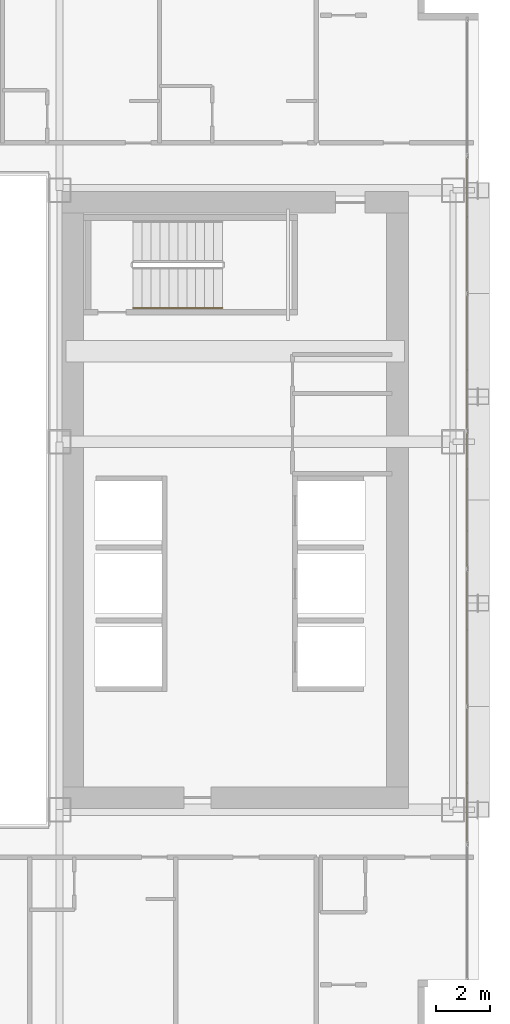
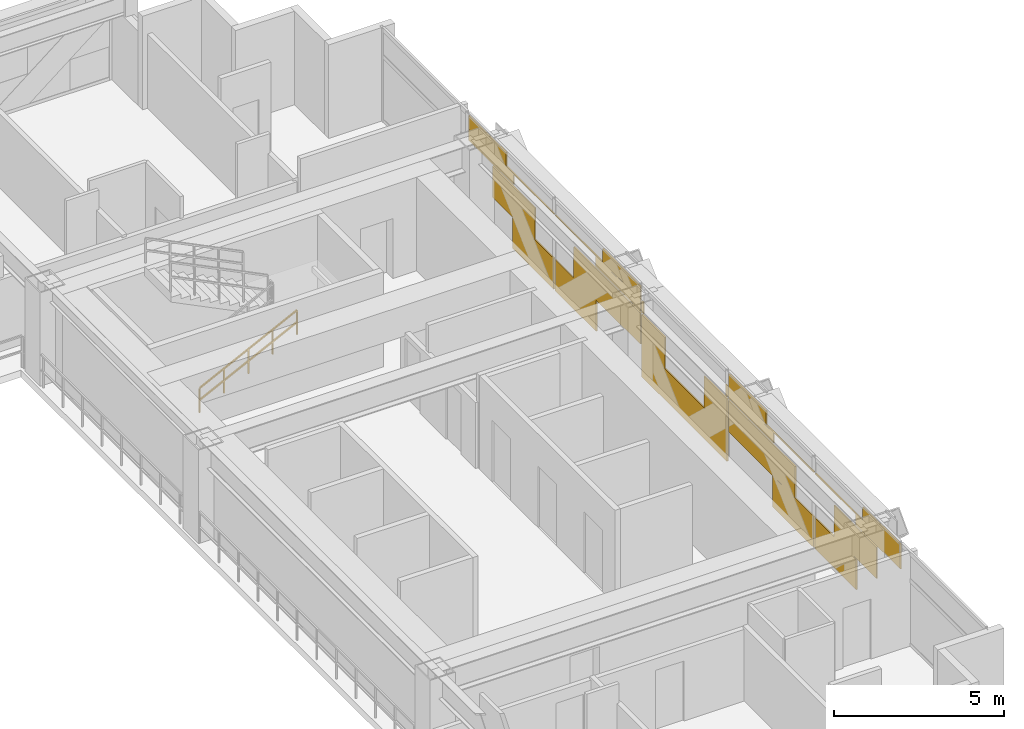
# One storey, part 37 of 38: 1 covering, 1 railing.
"""IFC4 building model written with IfcOpenShell, lengths in metres."""

from ifc_helpers import new_model, si_unit, direction, frame, origin, origin_2d, place, context, subcontext, project, spatial, rectangle, extrude, material, layer, layer_set, type_object, element, save


model = new_model("IFC4")

# Units and contexts
model_context = context("Model", 3, precision=1e-05, world=origin(), true_north=direction((0.0, 1.0)))
body_context = subcontext(model_context, "Body", "Model", "MODEL_VIEW")
ifc_project = project(units=[si_unit("LENGTHUNIT", "METRE"), si_unit("AREAUNIT", "SQUARE_METRE"), si_unit("VOLUMEUNIT", "CUBIC_METRE"), si_unit("PLANEANGLEUNIT", "RADIAN"), si_unit("MASSUNIT", "GRAM", prefix="KILO")], contexts=[model_context])

# Site, building, storey
site_placement = place(None, origin())
site = spatial("IfcSite", under=ifc_project, at=site_placement, CompositionType="ELEMENT")
building_placement = place(site_placement, origin())
building = spatial("IfcBuilding", under=site, at=building_placement, Name="Ocotamira Hotel", CompositionType="ELEMENT")
storey_placement = place(building_placement, frame((0.0, 0.0, 45.60009765625)))
storey = spatial("IfcBuildingStorey", under=building, at=storey_placement, Name="L10", CompositionType="ELEMENT", Elevation=45.60009765625)

# Covering
ifc_material_1 = material(Name="Insulated pale-metal aluminium spandrel panel", Category="aluminium")
ifc_layer = layer(ifc_material_1, 0.044921875)
ifc_layer_set = layer_set([ifc_layer], Name="Insulated pale-metal aluminium spandrel panel")
covering_type = type_object("IfcCoveringType", Name="COV-INFILL-45", PredefinedType="CLADDING", material=ifc_layer_set)
covering_placement = place(storey_placement, origin())
element("IfcCovering", 1, at=covering_placement, inside=storey, type_object=covering_type, Name="L10 Curtain Wall Infill CW-2 CW-L10-E", PredefinedType="CLADDING", context=body_context, shape_type="SweptSolid", body=[
    extrude(rectangle(XDim=2.49658203125, YDim=0.044921875, at=origin_2d()), frame((55.580078125, 15.977783203125, 1.194091796875), z_axis=(0.0, 0.0, 1.0), x_axis=(0.0, 1.0, 0.0)), (0.0, 0.0, 1.0), 1.11767578125),
    extrude(rectangle(XDim=2.415283203125, YDim=0.044921875, at=origin_2d()), frame((55.580078125, 17.123291015625, 0.0751953125), z_axis=(0.0, 0.0, 1.0), x_axis=(0.0, 1.0, 0.0)), (0.0, 0.0, 1.0), 1.117919921875),
    extrude(rectangle(XDim=2.634521484375, YDim=0.044921875, at=origin_2d()), frame((55.580078125, 14.6435546875, 2.3876953125), z_axis=(0.0, 0.0, 1.0), x_axis=(0.0, 1.0, 0.0)), (0.0, 0.0, 1.0), 0.366943359375),
    extrude(rectangle(XDim=5.004638671875, YDim=0.044921875, at=origin_2d()), frame((55.580078125, 15.82861328125, 2.755859375), z_axis=(0.0, 0.0, 1.0), x_axis=(0.0, 1.0, 0.0)), (0.0, 0.0, 1.0), 0.033203125),
    extrude(rectangle(XDim=2.2080078125, YDim=0.044921875, at=origin_2d()), frame((55.580078125, 14.43017578125, 2.7900390625), z_axis=(0.0, 0.0, 1.0), x_axis=(0.0, 1.0, 0.0)), (0.0, 0.0, 1.0), 0.484130859375),
    extrude(rectangle(XDim=2.40576171875, YDim=0.044921875, at=origin_2d()), frame((55.580078125, 19.61474609375, 0.0751953125), z_axis=(0.0, 0.0, 1.0), x_axis=(0.0, 1.0, 0.0)), (0.0, 0.0, 1.0), 1.117919921875),
    extrude(rectangle(XDim=3.90966796875, YDim=0.044921875, at=origin_2d()), frame((55.580078125, 21.4619140625, 1.194091796875), z_axis=(0.0, 0.0, 1.0), x_axis=(0.0, 1.0, 0.0)), (0.0, 0.0, 1.0), 1.11767578125),
    extrude(rectangle(XDim=5.004638671875, YDim=0.044921875, at=origin_2d()), frame((55.580078125, 20.914306640625, 2.755859375), z_axis=(0.0, 0.0, 1.0), x_axis=(0.0, 1.0, 0.0)), (0.0, 0.0, 1.0), 0.033203125),
    extrude(rectangle(XDim=2.64404296875, YDim=0.044921875, at=origin_2d()), frame((55.580078125, 22.094482421875, 2.3876953125), z_axis=(0.0, 0.0, 1.0), x_axis=(0.0, 1.0, 0.0)), (0.0, 0.0, 1.0), 0.366943359375),
    extrude(rectangle(XDim=2.217529296875, YDim=0.044921875, at=origin_2d()), frame((55.580078125, 22.307861328125, 2.7900390625), z_axis=(0.0, 0.0, 1.0), x_axis=(0.0, 1.0, 0.0)), (0.0, 0.0, 1.0), 0.484130859375),
    extrude(rectangle(XDim=5.004638671875, YDim=0.044921875, at=origin_2d()), frame((55.580078125, 26.0, 0.0751953125), z_axis=(0.0, 0.0, 1.0), x_axis=(0.0, 1.0, 0.0)), (0.0, 0.0, 1.0), 1.117919921875),
    extrude(rectangle(XDim=1.362060546875, YDim=0.044921875, at=origin_2d()), frame((55.580078125, 24.1787109375, 1.194091796875), z_axis=(0.0, 0.0, 1.0), x_axis=(0.0, 1.0, 0.0)), (0.0, 0.0, 1.0), 1.11767578125),
    extrude(rectangle(XDim=1.362060546875, YDim=0.044921875, at=origin_2d()), frame((55.580078125, 27.8212890625, 1.194091796875), z_axis=(0.0, 0.0, 1.0), x_axis=(0.0, 1.0, 0.0)), (0.0, 0.0, 1.0), 1.11767578125),
    extrude(rectangle(XDim=0.096435546875, YDim=0.044921875, at=origin_2d()), frame((55.580078125, 23.5458984375, 2.387939453125), z_axis=(0.0, 0.0, 1.0), x_axis=(0.0, 1.0, 0.0)), (0.0, 0.0, 1.0), 0.4013671875),
    extrude(rectangle(XDim=0.096435546875, YDim=0.044921875, at=origin_2d()), frame((55.580078125, 28.4541015625, 2.387939453125), z_axis=(0.0, 0.0, 1.0), x_axis=(0.0, 1.0, 0.0)), (0.0, 0.0, 1.0), 0.4013671875),
    extrude(rectangle(XDim=3.90966796875, YDim=0.044921875, at=origin_2d()), frame((55.580078125, 30.5380859375, 1.194091796875), z_axis=(0.0, 0.0, 1.0), x_axis=(0.0, 1.0, 0.0)), (0.0, 0.0, 1.0), 1.11767578125),
    extrude(rectangle(XDim=2.40576171875, YDim=0.044921875, at=origin_2d()), frame((55.580078125, 32.38525390625, 0.0751953125), z_axis=(0.0, 0.0, 1.0), x_axis=(0.0, 1.0, 0.0)), (0.0, 0.0, 1.0), 1.117919921875),
    extrude(rectangle(XDim=2.64404296875, YDim=0.044921875, at=origin_2d()), frame((55.580078125, 29.905517578125, 2.3876953125), z_axis=(0.0, 0.0, 1.0), x_axis=(0.0, 1.0, 0.0)), (0.0, 0.0, 1.0), 0.366943359375),
    extrude(rectangle(XDim=5.004638671875, YDim=0.044921875, at=origin_2d()), frame((55.580078125, 31.085693359375, 2.755859375), z_axis=(0.0, 0.0, 1.0), x_axis=(0.0, 1.0, 0.0)), (0.0, 0.0, 1.0), 0.033203125),
    extrude(rectangle(XDim=2.217529296875, YDim=0.044921875, at=origin_2d()), frame((55.580078125, 29.692138671875, 2.7900390625), z_axis=(0.0, 0.0, 1.0), x_axis=(0.0, 1.0, 0.0)), (0.0, 0.0, 1.0), 0.484130859375),
    extrude(rectangle(XDim=2.415283203125, YDim=0.044921875, at=origin_2d()), frame((55.580078125, 34.876708984375, 0.0751953125), z_axis=(0.0, 0.0, 1.0), x_axis=(0.0, 1.0, 0.0)), (0.0, 0.0, 1.0), 1.117919921875),
    extrude(rectangle(XDim=2.49658203125, YDim=0.044921875, at=origin_2d()), frame((55.580078125, 36.022216796875, 1.194091796875), z_axis=(0.0, 0.0, 1.0), x_axis=(0.0, 1.0, 0.0)), (0.0, 0.0, 1.0), 1.11767578125),
    extrude(rectangle(XDim=5.004638671875, YDim=0.044921875, at=origin_2d()), frame((55.580078125, 36.17138671875, 2.755859375), z_axis=(0.0, 0.0, 1.0), x_axis=(0.0, 1.0, 0.0)), (0.0, 0.0, 1.0), 0.033203125),
    extrude(rectangle(XDim=2.634521484375, YDim=0.044921875, at=origin_2d()), frame((55.580078125, 37.3564453125, 2.3876953125), z_axis=(0.0, 0.0, 1.0), x_axis=(0.0, 1.0, 0.0)), (0.0, 0.0, 1.0), 0.366943359375),
    extrude(rectangle(XDim=2.2080078125, YDim=0.044921875, at=origin_2d()), frame((55.580078125, 37.56982421875, 2.7900390625), z_axis=(0.0, 0.0, 1.0), x_axis=(0.0, 1.0, 0.0)), (0.0, 0.0, 1.0), 0.484130859375),
])

# Railing
ifc_material_2 = material(Name="Brushed stainless steel handrail", Category="steel")
railing_type = type_object("IfcRailingType", Name="RL-HAND-900", PredefinedType="HANDRAIL", material=ifc_material_2)
railing_placement = place(storey_placement, frame((43.22998046875, 33.10009765625, 0.3271484375)))
element("IfcRailing", 2, at=railing_placement, inside=storey, type_object=railing_type, Name="L10 ST-4 stair handrail 1", PredefinedType="HANDRAIL", context=body_context, shape_type="SweptSolid", body=[
    extrude(rectangle(XDim=0.048095703125, YDim=0.048095703125, at=origin_2d()), frame((0.0, 0.0, 0.8759765625), z_axis=(0.895893744519, 0.0, 0.4442683857), x_axis=(0.0, 1.0, 0.0)), (0.0, 0.0, 1.0), 3.68359375),
    extrude(rectangle(XDim=0.048095703125, YDim=0.048095703125, at=origin_2d()), frame((0.0, 0.0, 0.449951171875), z_axis=(0.895893744519, 0.0, 0.4442683857), x_axis=(0.0, 1.0, 0.0)), (0.0, 0.0, 1.0), 3.68359375),
    extrude(rectangle(XDim=0.0419921875, YDim=0.0419921875, at=origin_2d()), origin(), (0.0, 0.0, 1.0), 0.851806640625),
    extrude(rectangle(XDim=0.0419921875, YDim=0.0419921875, at=origin_2d()), frame((0.824951171875, 0.0, 0.4091796875)), (0.0, 0.0, 1.0), 0.851806640625),
    extrude(rectangle(XDim=0.0419921875, YDim=0.0419921875, at=origin_2d()), frame((1.64990234375, 0.0, 0.818359375)), (0.0, 0.0, 1.0), 0.851806640625),
    extrude(rectangle(XDim=0.0419921875, YDim=0.0419921875, at=origin_2d()), frame((2.47509765625, 0.0, 1.227294921875)), (0.0, 0.0, 1.0), 0.851806640625),
    extrude(rectangle(XDim=0.0419921875, YDim=0.0419921875, at=origin_2d()), frame((3.300048828125, 0.0, 1.636474609375)), (0.0, 0.0, 1.0), 0.851806640625),
])

save(model, "model.ifc")
